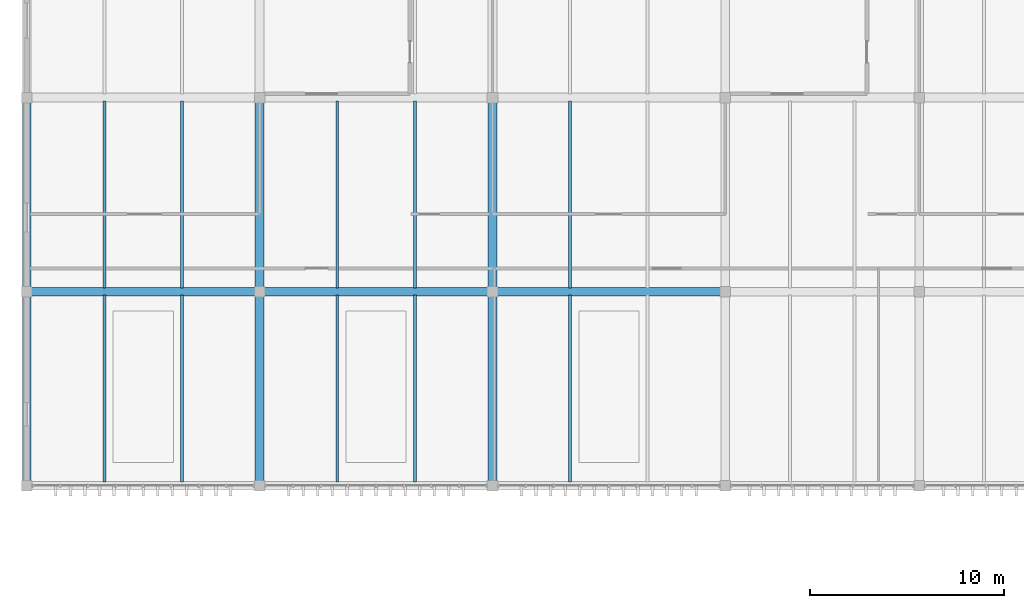
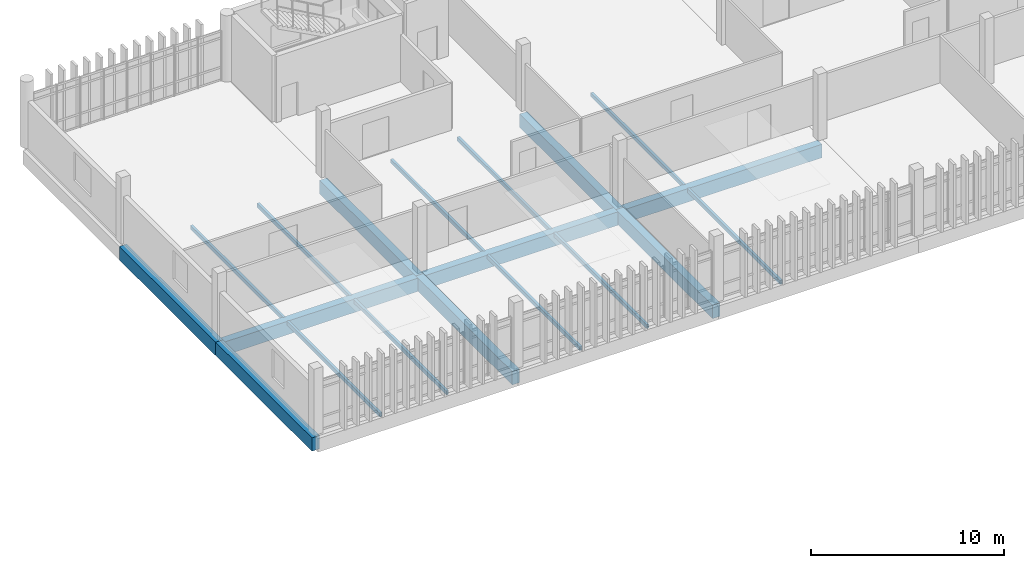
# One storey, part 5 of 29: 19 beams.
"""IFC4 building model written with IfcOpenShell, lengths in metres."""

from ifc_helpers import new_model, si_unit, direction, frame, origin, origin_2d, place, context, subcontext, project, spatial, rectangle, hollow_rectangle, extrude, material, material_profile, profile_set, type_object, element, save


model = new_model("IFC4")

# Units and contexts
model_context = context("Model", 3, precision=1e-05, world=origin(), true_north=direction((0.0, 1.0)))
body_context = subcontext(model_context, "Body", "Model", "MODEL_VIEW")
ifc_project = project(units=[si_unit("LENGTHUNIT", "METRE"), si_unit("AREAUNIT", "SQUARE_METRE"), si_unit("VOLUMEUNIT", "CUBIC_METRE"), si_unit("PLANEANGLEUNIT", "RADIAN"), si_unit("MASSUNIT", "GRAM", prefix="KILO")], contexts=[model_context])

# Site, building, storey
site_placement = place(None, origin())
site = spatial("IfcSite", under=ifc_project, at=site_placement, CompositionType="ELEMENT")
building_placement = place(site_placement, origin())
building = spatial("IfcBuilding", under=site, at=building_placement, Name="Mersad Railyard Sports Hall", CompositionType="ELEMENT")
storey_placement = place(building_placement, frame((0.0, 0.0, 17.39990234375)))
storey = spatial("IfcBuildingStorey", under=building, at=storey_placement, Name="L04", CompositionType="ELEMENT", Elevation=17.39990234375)

# Beams
ifc_material_1 = material(Name="Concrete C40/50", Category="concrete")
ifc_material_profile_1 = material_profile(ifc_material_1, rectangle(XDim=0.449951171875, YDim=0.85009765625, at=origin_2d()), Name="RC 450x850")
ifc_profile_set_1 = profile_set([ifc_material_profile_1], Name="Concrete C40/50")
beam_type_1 = type_object("IfcBeamType", Name="STR-BM-B02", PredefinedType="BEAM", material=ifc_profile_set_1)
for number, where, z_axis, x_axis, name in (
    (1, (55.0, 95.0, -0.744873046875), (1.0, 0.0, 0.0), (0.0, 1.0, 0.0), "Beam B02-1321"),
    (2, (67.0, 95.0, -0.744873046875), (1.0, 0.0, 0.0), (0.0, 1.0, 0.0), "Beam B02-1322"),
    (3, (79.0, 95.0, -0.744873046875), (1.0, 0.0, 0.0), (0.0, 1.0, 0.0), "Beam B02-1323"),
):
    element("IfcBeam", number, at=place(storey_placement, frame(where, z_axis=z_axis, x_axis=x_axis)), inside=storey, type_object=beam_type_1, Name=name, PredefinedType="BEAM", context=body_context, shape_type="SweptSolid", body=[
        extrude(rectangle(XDim=0.449951171875, YDim=0.85009765625, at=origin_2d()), origin(), (0.0, 0.0, 1.0), 12.0),
    ])
for number, where, z_axis, x_axis, name in (
    (4, (55.0, 85.0, -0.744873046875), (0.0, 1.0, 0.0), (-1.0, 0.0, 0.0), "Beam B02-1342"),
    (5, (55.0, 95.0, -0.744873046875), (0.0, 1.0, 0.0), (-1.0, 0.0, 0.0), "Beam B02-1343"),
    (6, (67.0, 85.0, -0.744873046875), (0.0, 1.0, 0.0), (-1.0, 0.0, 0.0), "Beam B02-1345"),
    (7, (67.0, 95.0, -0.744873046875), (0.0, 1.0, 0.0), (-1.0, 0.0, 0.0), "Beam B02-1346"),
    (8, (79.0, 85.0, -0.744873046875), (0.0, 1.0, 0.0), (-1.0, 0.0, 0.0), "Beam B02-1348"),
    (9, (79.0, 95.0, -0.744873046875), (0.0, 1.0, 0.0), (-1.0, 0.0, 0.0), "Beam B02-1349"),
):
    element("IfcBeam", number, at=place(storey_placement, frame(where, z_axis=z_axis, x_axis=x_axis)), inside=storey, type_object=beam_type_1, Name=name, PredefinedType="BEAM", context=body_context, shape_type="SweptSolid", body=[
        extrude(rectangle(XDim=0.449951171875, YDim=0.85009765625, at=origin_2d()), origin(), (0.0, 0.0, 1.0), 10.0),
    ])
ifc_material_2 = material(Name="Steel S355", Category="steel")
ifc_material_profile_2 = material_profile(ifc_material_2, hollow_rectangle(XDim=0.14990234375, YDim=0.25, WallThickness=0.012451171875, at=origin_2d()), Name="RHS 250x150x12.5")
ifc_profile_set_2 = profile_set([ifc_material_profile_2], Name="Steel S355")
beam_type_2 = type_object("IfcBeamType", Name="STR-BM-SB05", PredefinedType="BEAM", material=ifc_profile_set_2)
for number, where, z_axis, x_axis, name in (
    (10, (59.0, 85.179931640625, -0.44482421875), (0.0, 1.0, 0.0), (-1.0, 0.0, 0.0), "Beam SB05-1366"),
    (11, (63.0, 85.179931640625, -0.44482421875), (0.0, 1.0, 0.0), (-1.0, 0.0, 0.0), "Beam SB05-1367"),
    (12, (59.0, 95.179931640625, -0.44482421875), (0.0, 1.0, 0.0), (-1.0, 0.0, 0.0), "Beam SB05-1368"),
    (13, (63.0, 95.179931640625, -0.44482421875), (0.0, 1.0, 0.0), (-1.0, 0.0, 0.0), "Beam SB05-1369"),
    (14, (71.0, 85.179931640625, -0.44482421875), (0.0, 1.0, 0.0), (-1.0, 0.0, 0.0), "Beam SB05-1372"),
    (15, (75.0, 85.179931640625, -0.44482421875), (0.0, 1.0, 0.0), (-1.0, 0.0, 0.0), "Beam SB05-1373"),
    (16, (71.0, 95.179931640625, -0.44482421875), (0.0, 1.0, 0.0), (-1.0, 0.0, 0.0), "Beam SB05-1374"),
    (17, (75.0, 95.179931640625, -0.44482421875), (0.0, 1.0, 0.0), (-1.0, 0.0, 0.0), "Beam SB05-1375"),
    (18, (83.0, 85.179931640625, -0.44482421875), (0.0, 1.0, 0.0), (-1.0, 0.0, 0.0), "Beam SB05-1377"),
    (19, (83.0, 95.179931640625, -0.44482421875), (0.0, 1.0, 0.0), (-1.0, 0.0, 0.0), "Beam SB05-1379"),
):
    element("IfcBeam", number, at=place(storey_placement, frame(where, z_axis=z_axis, x_axis=x_axis)), inside=storey, type_object=beam_type_2, Name=name, PredefinedType="BEAM", context=body_context, shape_type="SweptSolid", body=[
        extrude(hollow_rectangle(XDim=0.14990234375, YDim=0.25, WallThickness=0.012451171875, at=origin_2d()), origin(), (0.0, 0.0, 1.0), 9.64013671875),
    ])

save(model, "model.ifc")
